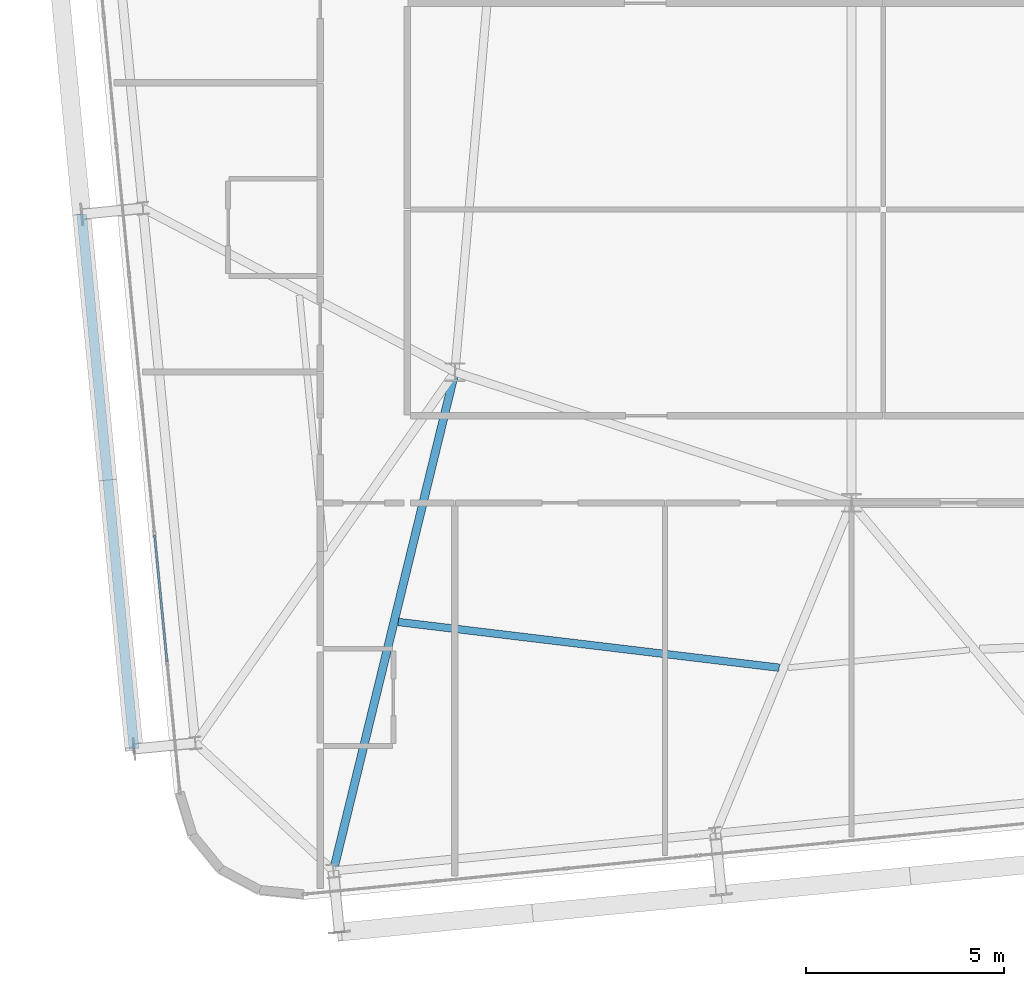
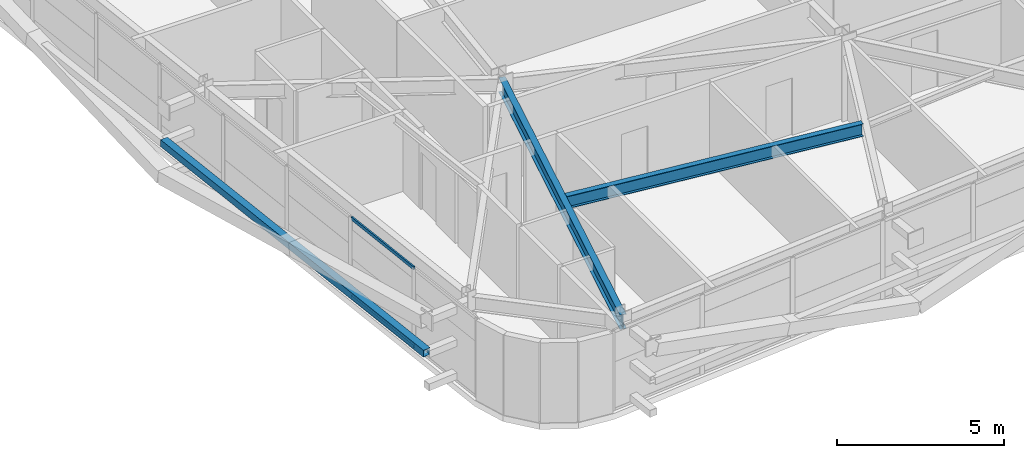
# One storey, part 7 of 54: 3 members, 2 beams, 1 element without a shape of its own.
"""IFC4 building model written with IfcOpenShell, lengths in metres."""

from ifc_helpers import new_model, si_unit, direction, frame, origin, origin_2d, place, context, subcontext, project, spatial, hollow_rectangle, i_section, extrude, source, transform, mapped, material, layer, layer_set, material_profile, profile_set, type_object, element, aggregate, save


model = new_model("IFC4")

# Units and contexts
model_context = context("Model", 3, precision=1e-05, world=origin(), true_north=direction((0.0, 1.0)))
body_context = subcontext(model_context, "Body", "Model", "MODEL_VIEW")
ifc_project = project(units=[si_unit("LENGTHUNIT", "METRE"), si_unit("AREAUNIT", "SQUARE_METRE"), si_unit("VOLUMEUNIT", "CUBIC_METRE"), si_unit("PLANEANGLEUNIT", "RADIAN"), si_unit("MASSUNIT", "GRAM", prefix="KILO")], contexts=[model_context])

# Site, building, storey
site_placement = place(None, origin())
site = spatial("IfcSite", under=ifc_project, at=site_placement, CompositionType="ELEMENT")
building_placement = place(site_placement, origin())
building = spatial("IfcBuilding", under=site, at=building_placement, Name="Taldren Reach Tower", CompositionType="ELEMENT")
storey_placement = place(building_placement, frame((0.0, 0.0, 102.89990234375)))
storey = spatial("IfcBuildingStorey", under=building, at=storey_placement, Name="L31", CompositionType="ELEMENT", Elevation=102.89990234375)

# Beams
ifc_material_1 = material(Name="Steel Gr 350 (350PLUS)", Category="steel")
ifc_material_profile_1 = material_profile(ifc_material_1, i_section(OverallWidth=0.208984375, OverallDepth=0.532958984375, WebThickness=0.01025390625, FlangeThickness=0.015625, at=origin_2d()), Name="530UB92.4")
ifc_profile_set_1 = profile_set([ifc_material_profile_1], Name="Steel Gr 350 (350PLUS)")
beam_type_1 = type_object("IfcBeamType", Name="BM-UB530A", PredefinedType="BEAM", material=ifc_profile_set_1)
shared_shape_1 = source(origin(), body_context, "Body", "SweptSolid", [
    extrude(i_section(OverallWidth=0.208984375, OverallDepth=0.532958984375, WebThickness=0.01025390625, FlangeThickness=0.015625, at=origin_2d()), origin(), (0.0, 0.0, 1.0), 12.947998046875),
])
beam_1_placement = place(storey_placement, frame((18.0, 12.5, 2.66357421875), z_axis=(-0.236786022782, -0.971561824803, 0.0), x_axis=(0.971561824803, -0.236786022782, 0.0)))
element("IfcBeam", 1, at=beam_1_placement, inside=storey, type_object=beam_type_1, Name="Primary floor girder B2-S1 L31", PredefinedType="BEAM", context=body_context, shape_type="MappedRepresentation", body=[
    mapped(shared_shape_1, transform((0.0, 0.0, 0.0), scale=1.0)),
])
ifc_material_profile_2 = material_profile(ifc_material_1, i_section(OverallWidth=0.19091796875, OverallDepth=0.4599609375, WebThickness=0.010009765625, FlangeThickness=0.01611328125, at=origin_2d()), Name="460UB82.1")
ifc_profile_set_2 = profile_set([ifc_material_profile_2], Name="Steel Gr 350 (350PLUS)")
beam_type_2 = type_object("IfcBeamType", Name="BM-UB460A", PredefinedType="BEAM", material=ifc_profile_set_2)
shared_shape_2 = source(origin(), body_context, "Body", "SweptSolid", [
    extrude(i_section(OverallWidth=0.19091796875, OverallDepth=0.4599609375, WebThickness=0.010009765625, FlangeThickness=0.01611328125, at=origin_2d()), origin(), (0.0, 0.0, 1.0), 9.673583984375),
])
beam_2_placement = place(storey_placement, frame((16.571533203125, 6.197509765625, 2.7001953125), z_axis=(0.992879584922, -0.119122331431, 0.0), x_axis=(0.119122331431, 0.992879584922, 0.0)))
element("IfcBeam", 2, at=beam_2_placement, inside=storey, type_object=beam_type_2, Name="Secondary floor beam B2 J1 L31", PredefinedType="BEAM", context=body_context, shape_type="MappedRepresentation", body=[
    mapped(shared_shape_2, transform((0.0, 0.0, 0.0), scale=1.0)),
])

# Member
ifc_material_2 = material(Name="Steel Gr 350 (C350L0)", Category="steel")
ifc_material_profile_3 = material_profile(ifc_material_2, hollow_rectangle(XDim=0.25, YDim=0.25, WallThickness=0.010009765625, at=origin_2d()), Name="250x250x10.0SHS")
ifc_profile_set_3 = profile_set([ifc_material_profile_3], Name="Steel Gr 350 (C350L0)")
member_type_1 = type_object("IfcMemberType", Name="MB-POST250", PredefinedType="POST", material=ifc_profile_set_3)
shared_shape_3 = source(origin(), body_context, "Body", "SweptSolid", [
    extrude(hollow_rectangle(XDim=0.25, YDim=0.25, WallThickness=0.010009765625, at=origin_2d()), origin(), (0.0, 0.0, 1.0), 13.5498046875),
])
member_1_placement = place(storey_placement, frame((9.91015625, 2.99462890625, 1.43505859375), z_axis=(-0.097585771221, 0.995227118428, 0.0), x_axis=(-0.995227118428, -0.097585771221, 0.0)))
element("IfcMember", 3, at=member_1_placement, inside=storey, type_object=member_type_1, Name="Exoskeleton mid-height ring chord B2-W1 L31", PredefinedType="POST", context=body_context, shape_type="MappedRepresentation", body=[
    mapped(shared_shape_3, transform((0.0, 0.0, 0.0), scale=1.0)),
])

# Curtain wall, members
ifc_material_3 = material(Name="Aluminium and Low-E Glass Unitised System", Category="aluminium")
ifc_layer = layer(ifc_material_3, 0.159912109375)
ifc_layer_set = layer_set([ifc_layer], Name="Aluminium and Low-E Glass Unitised System")
curtain_wall_type = type_object("IfcCurtainWallType", Name="CW-SYS-3", PredefinedType="NOTDEFINED", material=ifc_layer_set)
curtain_wall_placement = place(storey_placement, origin())
curtain_wall = element("IfcCurtainWall", 4, at=curtain_wall_placement, inside=storey, type_object=curtain_wall_type, Name="Unitised curtain wall CW-L31-W", PredefinedType="NOTDEFINED")
ifc_material_4 = material(Name="Anodised Aluminium 6063-T6", Category="aluminium")
ifc_material_profile_4 = material_profile(ifc_material_4, hollow_rectangle(XDim=0.054931640625, YDim=0.1201171875, WallThickness=0.0029296875, at=origin_2d()), Name="ALU-120x55x3RHS")
ifc_profile_set_4 = profile_set([ifc_material_profile_4], Name="Anodised Aluminium 6063-T6")
member_type_2 = type_object("IfcMemberType", Name="CW-TRN-135", PredefinedType="USERDEFINED", material=ifc_profile_set_4)
shared_shape_4 = source(origin(), body_context, "Body", "SweptSolid", [
    extrude(hollow_rectangle(XDim=0.054931640625, YDim=0.1201171875, WallThickness=0.0029296875, at=origin_2d()), origin(), (0.0, 0.0, 1.0), 3.212646484375),
])
member_2_placement = place(storey_placement, frame((10.42578125, 8.3935546875, 0.027587890625), z_axis=(0.097577327663, -0.995227946315, 0.0), x_axis=(0.995227946315, 0.097577327663, 0.0)))
member_2 = element("IfcMember", 5, at=member_2_placement, type_object=member_type_2, Name="CW-3 transom 8.1", ObjectType="TRANSOM", PredefinedType="USERDEFINED", context=body_context, shape_type="MappedRepresentation", body=[
    mapped(shared_shape_4, transform((0.0, 0.0, 0.0), scale=1.0)),
])
member_3_placement = place(storey_placement, frame((10.42578125, 8.3935546875, 2.902587890625), z_axis=(0.097577327663, -0.995227946315, 0.0), x_axis=(0.995227946315, 0.097577327663, 0.0)))
member_3 = element("IfcMember", 6, at=member_3_placement, type_object=member_type_2, Name="CW-3 transom 8.2", ObjectType="TRANSOM", PredefinedType="USERDEFINED", context=body_context, shape_type="MappedRepresentation", body=[
    mapped(shared_shape_4, transform((0.0, 0.0, 0.0), scale=1.0)),
])
aggregate(curtain_wall, [member_2, member_3])

save(model, "model.ifc")
